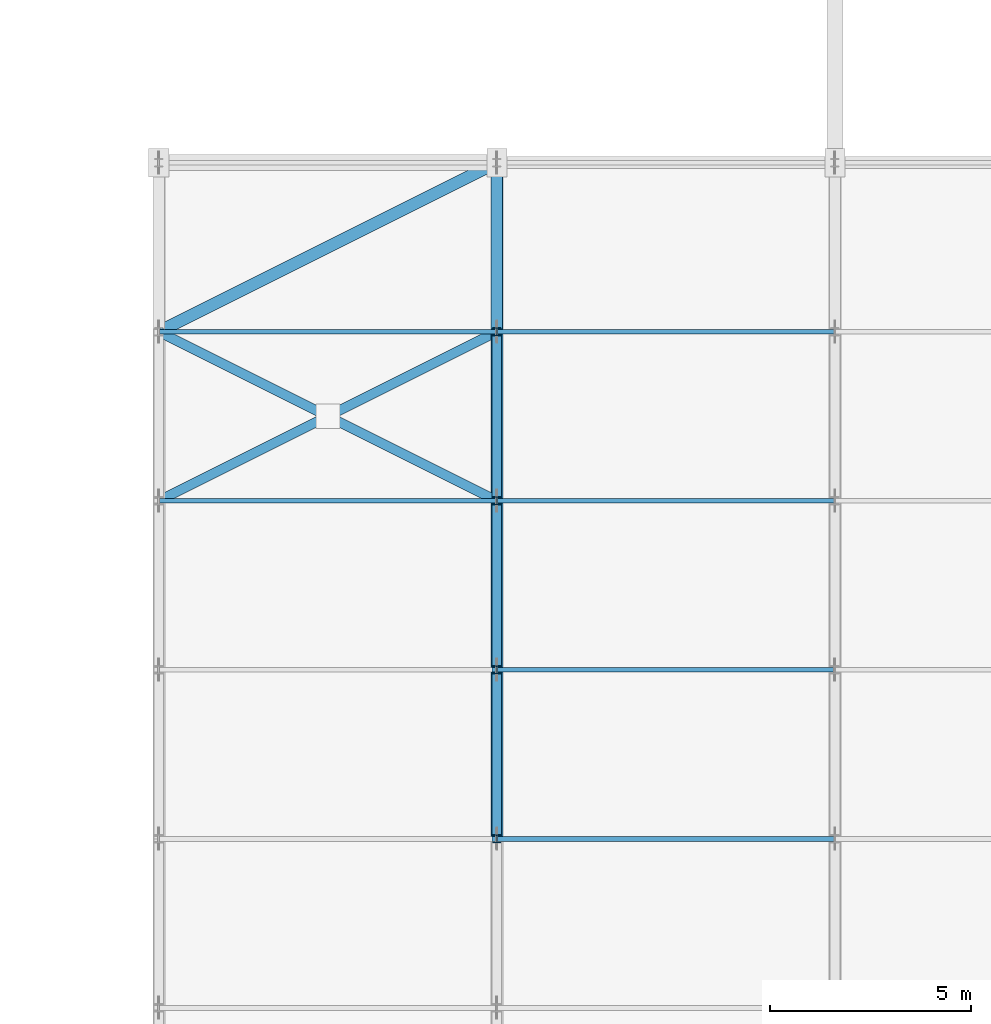
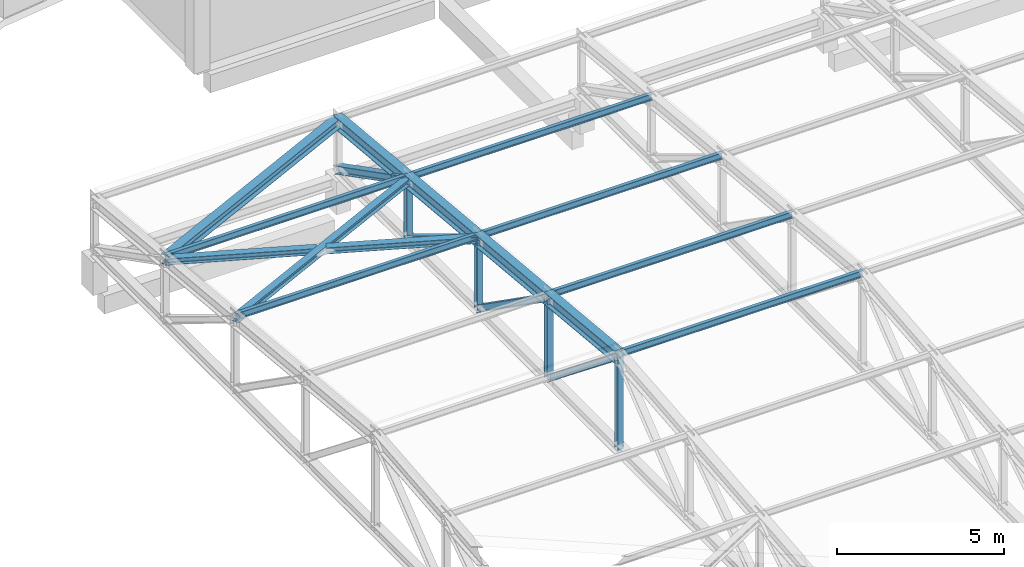
# One storey, part 15 of 74: 18 members, 4 beams.
"""IFC4 building model written with IfcOpenShell, lengths in metres."""

from ifc_helpers import new_model, si_unit, derived_unit, direction, frame, origin, origin_2d, place, context, subcontext, project, spatial, i_section, extrude, material, material_profile, profile_set, type_object, element, save


model = new_model("IFC4")

# Units and contexts
model_context = context("Model", 3, precision=1e-05, world=origin(), true_north=direction((0.0, 1.0)))
body_context = subcontext(model_context, "Body", "Model", "MODEL_VIEW")
ifc_project = project(units=[si_unit("LENGTHUNIT", "METRE"), si_unit("AREAUNIT", "SQUARE_METRE"), si_unit("VOLUMEUNIT", "CUBIC_METRE"), si_unit("PLANEANGLEUNIT", "RADIAN"), si_unit("MASSUNIT", "GRAM", prefix="KILO"), derived_unit("THERMALTRANSMITTANCEUNIT", [(si_unit("POWERUNIT", "WATT"), 1), (si_unit("LENGTHUNIT", "METRE"), -2), (si_unit("THERMODYNAMICTEMPERATUREUNIT", "KELVIN"), -1)])], contexts=[model_context])

# Site, building, storey
site_placement = place(None, origin())
site = spatial("IfcSite", under=ifc_project, at=site_placement, CompositionType="ELEMENT")
building_placement = place(site_placement, origin())
building = spatial("IfcBuilding", under=site, at=building_placement, Name="Elbkamm Science Centre", CompositionType="ELEMENT")
storey_placement = place(building_placement, frame((0.0, 0.0, 14.39990234375)))
storey = spatial("IfcBuildingStorey", under=building, at=storey_placement, Name="L03", CompositionType="ELEMENT", Elevation=14.39990234375)

# Beams
ifc_material = material(Name="Steel EN 10025-2 S355J2", Category="steel")
ifc_material_profile_1 = material_profile(ifc_material, i_section(OverallWidth=0.300048828125, OverallDepth=0.449951171875, WebThickness=0.013916015625, FlangeThickness=0.02587890625, FilletRadius=0.027099609375, at=origin_2d()), Name="HEB 450")
ifc_profile_set_1 = profile_set([ifc_material_profile_1], Name="Steel EN 10025-2 S355J2")
beam_type = type_object("IfcBeamType", Name="BM-STL-HEB450", PredefinedType="BEAM", material=ifc_profile_set_1)
for number, where, z_axis, x_axis, name in (
    (1, (75.60009765625, 16.800048828125, 4.7451171875), (0.0, 0.995562844443, -0.094099005119), (-1.0, 0.0, 0.0), "Theatre Steel Truss 02 Top Chord 5"),
    (2, (75.60009765625, 21.0, 4.34814453125), (0.0, 0.995562844443, -0.094099005119), (-1.0, 0.0, 0.0), "Theatre Steel Truss 02 Top Chord 6"),
    (3, (75.60009765625, 25.199951171875, 3.951171875), (0.0, 0.995557421336, -0.094156363687), (-1.0, 0.0, 0.0), "Theatre Steel Truss 02 Top Chord 7"),
):
    element("IfcBeam", number, at=place(storey_placement, frame(where, z_axis=z_axis, x_axis=x_axis)), inside=storey, type_object=beam_type, Name=name, PredefinedType="BEAM", context=body_context, shape_type="SweptSolid", body=[
        extrude(i_section(OverallWidth=0.300048828125, OverallDepth=0.449951171875, WebThickness=0.013916015625, FlangeThickness=0.02587890625, FilletRadius=0.027099609375, at=origin_2d()), origin(), (0.0, 0.0, 1.0), 4.21875),
    ])
beam_placement = place(storey_placement, frame((75.60009765625, 29.39990234375, 3.553955078125), z_axis=(0.0, 0.995563356829, -0.094093583946), x_axis=(-1.0, 0.0, 0.0)))
element("IfcBeam", 4, at=beam_placement, inside=storey, type_object=beam_type, Name="Theatre Steel Truss 02 Top Chord 8", PredefinedType="BEAM", context=body_context, shape_type="SweptSolid", body=[
    extrude(i_section(OverallWidth=0.300048828125, OverallDepth=0.449951171875, WebThickness=0.013916015625, FlangeThickness=0.02587890625, FilletRadius=0.027099609375, at=origin_2d()), origin(), (0.0, 0.0, 1.0), 4.218994140625),
])

# Members
ifc_material_profile_2 = material_profile(ifc_material, i_section(OverallWidth=0.239990234375, OverallDepth=0.22998046875, WebThickness=0.007568359375, FlangeThickness=0.011962890625, FilletRadius=0.02099609375, at=origin_2d()), Name="HEA 240")
ifc_profile_set_2 = profile_set([ifc_material_profile_2], Name="Steel EN 10025-2 S355J2")
member_type_1 = type_object("IfcMemberType", Name="MEM-BRACE-HEA240", PredefinedType="BRACE", material=ifc_profile_set_2)
member_1_placement = place(storey_placement, frame((75.60009765625, 16.800048828125, 4.7451171875), z_axis=(0.0, 0.782228850419, -0.62299119221), x_axis=(-1.0, 0.0, 0.0)))
element("IfcMember", 5, at=member_1_placement, inside=storey, type_object=member_type_1, Name="Theatre Steel Truss 02 Diagonal Brace 5", PredefinedType="BRACE", context=body_context, shape_type="SweptSolid", body=[
    extrude(i_section(OverallWidth=0.239990234375, OverallDepth=0.22998046875, WebThickness=0.007568359375, FlangeThickness=0.011962890625, FilletRadius=0.02099609375, at=origin_2d()), origin(), (0.0, 0.0, 1.0), 5.369140625),
])
member_2_placement = place(storey_placement, frame((75.60009765625, 21.0, 4.34814453125), z_axis=(0.0, 0.818495853112, -0.574512435408), x_axis=(-1.0, 0.0, 0.0)))
element("IfcMember", 6, at=member_2_placement, inside=storey, type_object=member_type_1, Name="Theatre Steel Truss 02 Diagonal Brace 6", PredefinedType="BRACE", context=body_context, shape_type="SweptSolid", body=[
    extrude(i_section(OverallWidth=0.239990234375, OverallDepth=0.22998046875, WebThickness=0.007568359375, FlangeThickness=0.011962890625, FilletRadius=0.02099609375, at=origin_2d()), origin(), (0.0, 0.0, 1.0), 5.13134765625),
])
member_3_placement = place(storey_placement, frame((75.60009765625, 25.199951171875, 3.951171875), z_axis=(0.0, 0.854692256273, -0.519134998884), x_axis=(-1.0, 0.0, 0.0)))
element("IfcMember", 7, at=member_3_placement, inside=storey, type_object=member_type_1, Name="Theatre Steel Truss 02 Diagonal Brace 7", PredefinedType="BRACE", context=body_context, shape_type="SweptSolid", body=[
    extrude(i_section(OverallWidth=0.239990234375, OverallDepth=0.22998046875, WebThickness=0.007568359375, FlangeThickness=0.011962890625, FilletRadius=0.02099609375, at=origin_2d()), origin(), (0.0, 0.0, 1.0), 4.9140625),
])
member_4_placement = place(storey_placement, frame((67.199951171875, 25.199951171875, 3.951171875), z_axis=(0.893633454316, 0.446803740942, -0.042257146225), x_axis=(-0.447203197209, 0.89443239007, 0.0)))
element("IfcMember", 8, at=member_4_placement, inside=storey, type_object=member_type_1, Name="Theatre Roof Plan Continuous X-Brace B1-P7", PredefinedType="BRACE", context=body_context, shape_type="SweptSolid", body=[
    extrude(i_section(OverallWidth=0.239990234375, OverallDepth=0.22998046875, WebThickness=0.007568359375, FlangeThickness=0.011962890625, FilletRadius=0.02099609375, at=origin_2d()), origin(), (0.0, 0.0, 1.0), 9.39990234375),
])
for number, where, z_axis, x_axis, name in (
    (9, (67.199951171875, 29.39990234375, 3.553955078125), (0.893639494466, -0.446792977133, 0.042243218569), (0.447192160157, 0.89443790835, 0.0), "Theatre Roof Plan Split X-Brace Segment 1 B1-P7"),
    (10, (71.525146484375, 27.2373046875, 3.758544921875), (0.893639494466, -0.446792977133, 0.042243218569), (0.447192160157, 0.89443790835, 0.0), "Theatre Roof Plan Split X-Brace Segment 2 B1-P7"),
):
    element("IfcMember", number, at=place(storey_placement, frame(where, z_axis=z_axis, x_axis=x_axis)), inside=storey, type_object=member_type_1, Name=name, PredefinedType="BRACE", context=body_context, shape_type="SweptSolid", body=[
        extrude(i_section(OverallWidth=0.239990234375, OverallDepth=0.22998046875, WebThickness=0.007568359375, FlangeThickness=0.011962890625, FilletRadius=0.02099609375, at=origin_2d()), origin(), (0.0, 0.0, 1.0), 4.56005859375),
    ])
ifc_material_profile_3 = material_profile(ifc_material, i_section(OverallWidth=0.280029296875, OverallDepth=0.27001953125, WebThickness=0.008056640625, FlangeThickness=0.012939453125, FilletRadius=0.02392578125, at=origin_2d()), Name="HEA 280")
ifc_profile_set_3 = profile_set([ifc_material_profile_3], Name="Steel EN 10025-2 S355J2")
member_type_2 = type_object("IfcMemberType", Name="MEM-BRACE-HEA280", PredefinedType="BRACE", material=ifc_profile_set_3)
member_5_placement = place(storey_placement, frame((75.60009765625, 29.39990234375, 3.553955078125), z_axis=(0.0, 0.889829309355, -0.456293546101), x_axis=(-1.0, 0.0, 0.0)))
element("IfcMember", 11, at=member_5_placement, inside=storey, type_object=member_type_2, Name="Theatre Steel Truss 02 Diagonal Brace 8", PredefinedType="BRACE", context=body_context, shape_type="SweptSolid", body=[
    extrude(i_section(OverallWidth=0.280029296875, OverallDepth=0.27001953125, WebThickness=0.008056640625, FlangeThickness=0.012939453125, FilletRadius=0.02392578125, at=origin_2d()), origin(), (0.0, 0.0, 1.0), 4.72021484375),
])
ifc_material_profile_4 = material_profile(ifc_material, i_section(OverallWidth=0.300048828125, OverallDepth=0.35009765625, WebThickness=0.010009765625, FlangeThickness=0.017578125, FilletRadius=0.027099609375, at=origin_2d()), Name="HEA 360")
ifc_profile_set_4 = profile_set([ifc_material_profile_4], Name="Steel EN 10025-2 S355J2")
member_type_3 = type_object("IfcMemberType", Name="MEM-CHORD-HEA360", PredefinedType="CHORD", material=ifc_profile_set_4)
member_6_placement = place(storey_placement, frame((67.199951171875, 29.39990234375, 3.553955078125), z_axis=(0.893624064402, 0.44682501828, -0.042230730047), x_axis=(-0.44722399361, 0.89442199187, 0.0)))
element("IfcMember", 12, at=member_6_placement, inside=storey, type_object=member_type_3, Name="Theatre Roof Plan Tie Chord 1-8", PredefinedType="CHORD", context=body_context, shape_type="SweptSolid", body=[
    extrude(i_section(OverallWidth=0.300048828125, OverallDepth=0.35009765625, WebThickness=0.010009765625, FlangeThickness=0.017578125, FilletRadius=0.027099609375, at=origin_2d()), origin(), (0.0, 0.0, 1.0), 9.400146484375),
])
ifc_material_profile_5 = material_profile(ifc_material, i_section(OverallWidth=0.1201171875, OverallDepth=0.239990234375, WebThickness=0.006103515625, FlangeThickness=0.009765625, FilletRadius=0.014892578125, at=origin_2d()), Name="IPE 240")
ifc_profile_set_5 = profile_set([ifc_material_profile_5], Name="Steel EN 10025-2 S355J2")
member_type_4 = type_object("IfcMemberType", Name="MEM-PURLIN-IPE240", PredefinedType="PURLIN", material=ifc_profile_set_5)
for number, where, z_axis, x_axis, name in (
    (13, (67.199951171875, 25.199951171875, 4.051025390625), (1.0, 0.0, 0.0), (0.0, 1.0, 0.0), "Theatre Roof Purlin Bay 1-7"),
    (14, (67.199951171875, 29.39990234375, 3.654052734375), (1.0, 0.0, 0.0), (0.0, 1.0, 0.0), "Theatre Roof Purlin Bay 1-8"),
):
    element("IfcMember", number, at=place(storey_placement, frame(where, z_axis=z_axis, x_axis=x_axis)), inside=storey, type_object=member_type_4, Name=name, PredefinedType="PURLIN", context=body_context, shape_type="SweptSolid", body=[
        extrude(i_section(OverallWidth=0.1201171875, OverallDepth=0.239990234375, WebThickness=0.006103515625, FlangeThickness=0.009765625, FilletRadius=0.014892578125, at=origin_2d()), origin(), (0.0, 0.0, 1.0), 8.400146484375),
    ])
for number, where, z_axis, x_axis, name in (
    (15, (75.60009765625, 16.800048828125, 4.84521484375), (1.0, 0.0, 0.0), (0.0, 1.0, 0.0), "Theatre Roof Purlin Bay 2-5"),
    (16, (75.60009765625, 21.0, 4.447998046875), (1.0, 0.0, 0.0), (0.0, 1.0, 0.0), "Theatre Roof Purlin Bay 2-6"),
    (17, (75.60009765625, 25.199951171875, 4.051025390625), (1.0, 0.0, 0.0), (0.0, 1.0, 0.0), "Theatre Roof Purlin Bay 2-7"),
    (18, (75.60009765625, 29.39990234375, 3.654052734375), (1.0, 0.0, 0.0), (0.0, 1.0, 0.0), "Theatre Roof Purlin Bay 2-8"),
):
    element("IfcMember", number, at=place(storey_placement, frame(where, z_axis=z_axis, x_axis=x_axis)), inside=storey, type_object=member_type_4, Name=name, PredefinedType="PURLIN", context=body_context, shape_type="SweptSolid", body=[
        extrude(i_section(OverallWidth=0.1201171875, OverallDepth=0.239990234375, WebThickness=0.006103515625, FlangeThickness=0.009765625, FilletRadius=0.014892578125, at=origin_2d()), origin(), (0.0, 0.0, 1.0), 8.39990234375),
    ])
ifc_material_profile_6 = material_profile(ifc_material, i_section(OverallWidth=0.199951171875, OverallDepth=0.199951171875, WebThickness=0.009033203125, FlangeThickness=0.014892578125, FilletRadius=0.01806640625, at=origin_2d()), Name="HEB 200")
ifc_profile_set_6 = profile_set([ifc_material_profile_6], Name="Steel EN 10025-2 S355J2")
member_type_5 = type_object("IfcMemberType", Name="MEM-STRUT-HEB200", PredefinedType="STRUT", material=ifc_profile_set_6)
member_7_placement = place(storey_placement, frame((75.60009765625, 16.800048828125, 1.400146484375), z_axis=(0.0, 0.0, 1.0), x_axis=(1.0, 0.0, 0.0)))
element("IfcMember", 19, at=member_7_placement, inside=storey, type_object=member_type_5, Name="Theatre Steel Truss 02 Vertical Strut 5", PredefinedType="STRUT", context=body_context, shape_type="SweptSolid", body=[
    extrude(i_section(OverallWidth=0.199951171875, OverallDepth=0.199951171875, WebThickness=0.009033203125, FlangeThickness=0.014892578125, FilletRadius=0.01806640625, at=origin_2d()), origin(), (0.0, 0.0, 1.0), 3.344970703125),
])
member_8_placement = place(storey_placement, frame((75.60009765625, 21.0, 1.400146484375), z_axis=(0.0, 0.0, 1.0), x_axis=(1.0, 0.0, 0.0)))
element("IfcMember", 20, at=member_8_placement, inside=storey, type_object=member_type_5, Name="Theatre Steel Truss 02 Vertical Strut 6", PredefinedType="STRUT", context=body_context, shape_type="SweptSolid", body=[
    extrude(i_section(OverallWidth=0.199951171875, OverallDepth=0.199951171875, WebThickness=0.009033203125, FlangeThickness=0.014892578125, FilletRadius=0.01806640625, at=origin_2d()), origin(), (0.0, 0.0, 1.0), 2.947998046875),
])
member_9_placement = place(storey_placement, frame((75.60009765625, 25.199951171875, 1.400146484375), z_axis=(0.0, 0.0, 1.0), x_axis=(1.0, 0.0, 0.0)))
element("IfcMember", 21, at=member_9_placement, inside=storey, type_object=member_type_5, Name="Theatre Steel Truss 02 Vertical Strut 7", PredefinedType="STRUT", context=body_context, shape_type="SweptSolid", body=[
    extrude(i_section(OverallWidth=0.199951171875, OverallDepth=0.199951171875, WebThickness=0.009033203125, FlangeThickness=0.014892578125, FilletRadius=0.01806640625, at=origin_2d()), origin(), (0.0, 0.0, 1.0), 2.551025390625),
])
member_10_placement = place(storey_placement, frame((75.60009765625, 29.39990234375, 1.400146484375), z_axis=(0.0, 0.0, 1.0), x_axis=(1.0, 0.0, 0.0)))
element("IfcMember", 22, at=member_10_placement, inside=storey, type_object=member_type_5, Name="Theatre Steel Truss 02 Vertical Strut 8", PredefinedType="STRUT", context=body_context, shape_type="SweptSolid", body=[
    extrude(i_section(OverallWidth=0.199951171875, OverallDepth=0.199951171875, WebThickness=0.009033203125, FlangeThickness=0.014892578125, FilletRadius=0.01806640625, at=origin_2d()), origin(), (0.0, 0.0, 1.0), 2.15380859375),
])

save(model, "model.ifc")
